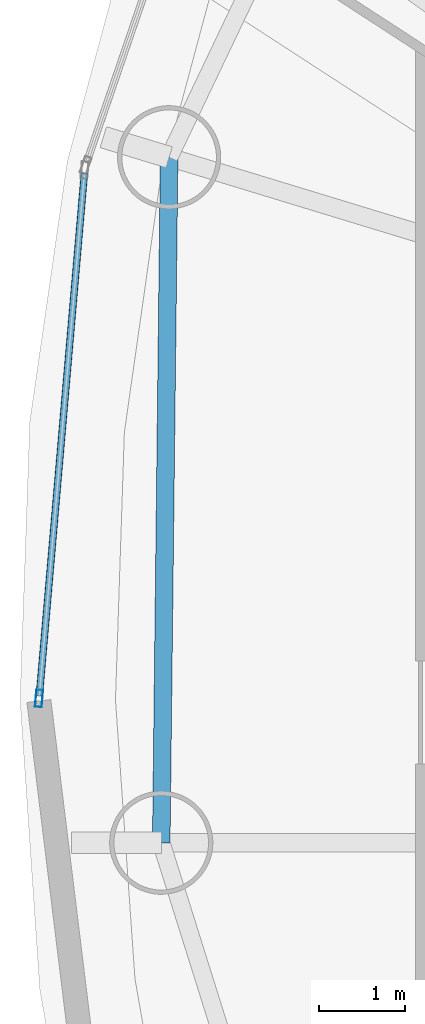
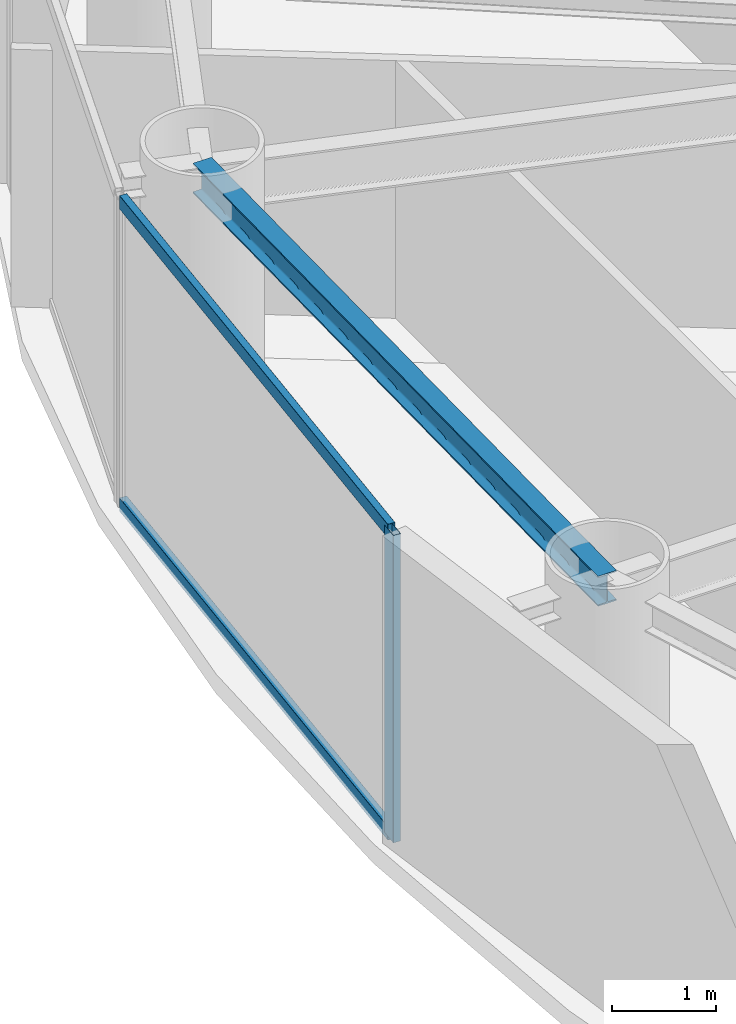
# One storey, part 6 of 22: 3 members, 1 beam, 1 element without a shape of its own.
"""IFC4 building model written with IfcOpenShell, lengths in metres."""

from ifc_helpers import new_model, si_unit, direction, frame, origin, origin_2d, place, context, subcontext, project, spatial, hollow_rectangle, i_section, extrude, material, layer, layer_set, material_profile, profile_set, type_object, element, aggregate, save


model = new_model("IFC4")

# Units and contexts
model_context = context("Model", 3, precision=1e-05, world=origin(), true_north=direction((0.0, 1.0)))
body_context = subcontext(model_context, "Body", "Model", "MODEL_VIEW")
ifc_project = project(units=[si_unit("LENGTHUNIT", "METRE"), si_unit("AREAUNIT", "SQUARE_METRE"), si_unit("VOLUMEUNIT", "CUBIC_METRE"), si_unit("PLANEANGLEUNIT", "RADIAN"), si_unit("MASSUNIT", "GRAM", prefix="KILO")], contexts=[model_context])

# Site, building, storey
site_placement = place(None, origin())
site = spatial("IfcSite", under=ifc_project, at=site_placement, CompositionType="ELEMENT")
building_placement = place(site_placement, origin())
building = spatial("IfcBuilding", under=site, at=building_placement, Name="Bramvorn Convention Spire", CompositionType="ELEMENT")
storey_placement = place(building_placement, frame((0.0, 0.0, 225.10009765625)))
storey = spatial("IfcBuildingStorey", under=building, at=storey_placement, Name="L57", CompositionType="ELEMENT", Elevation=225.10009765625)

# Beam
ifc_material_1 = material(Name="Steel CSA G40.21 Grade 350 (350W)", Category="steel")
ifc_material_profile_1 = material_profile(ifc_material_1, i_section(OverallWidth=0.205078125, OverallDepth=0.35400390625, WebThickness=0.009521484375, FlangeThickness=0.016845703125, FilletRadius=0.014892578125, at=origin_2d()))
ifc_profile_set_1 = profile_set([ifc_material_profile_1], Name="Steel CSA G40.21 Grade 350 (350W) - W360X79")
beam_type = type_object("IfcBeamType", Name="BM-W360X79", PredefinedType="JOIST", material=ifc_profile_set_1)
beam_placement = place(storey_placement, frame((17.136962890625, 36.380615234375, 3.44287109375), z_axis=(-0.011480475367, -0.999934097171, 0.0), x_axis=(0.999934097171, -0.011480475367, 0.0)))
element("IfcBeam", 1, at=beam_placement, inside=storey, type_object=beam_type, Name="L57 mega-column ring beam 10", PredefinedType="JOIST", context=body_context, shape_type="SweptSolid", body=[
    extrude(i_section(OverallWidth=0.205078125, OverallDepth=0.35400390625, WebThickness=0.009521484375, FlangeThickness=0.016845703125, FilletRadius=0.014892578125, at=origin_2d()), origin(), (0.0, 0.0, 1.0), 7.974609375),
])

# Curtain wall, members
ifc_material_2 = material(Name="Anodised Bronze Unitised Curtain Wall", Category="aluminium")
ifc_layer = layer(ifc_material_2, 0.179931640625)
ifc_layer_set = layer_set([ifc_layer], Name="Anodised Bronze Unitised Curtain Wall - CW-OFF-FRIT")
curtain_wall_type = type_object("IfcCurtainWallType", Name="CW-OFF-FRIT", PredefinedType="USERDEFINED", material=ifc_layer_set)
curtain_wall_placement = place(storey_placement, origin())
curtain_wall = element("IfcCurtainWall", 2, at=curtain_wall_placement, inside=storey, type_object=curtain_wall_type, Name="L57 fritted glass curtain wall 15", ObjectType="UNITISED CURTAIN WALL", PredefinedType="USERDEFINED")
ifc_material_3 = material(Name="Anodised Bronze Aluminium 6063-T6", Category="aluminium")
ifc_material_profile_2 = material_profile(ifc_material_3, hollow_rectangle(XDim=0.080078125, YDim=0.199951171875, WallThickness=0.00390625, InnerFilletRadius=0.0009765625, OuterFilletRadius=0.00390625, at=origin_2d()))
ifc_profile_set_2 = profile_set([ifc_material_profile_2], Name="Anodised Bronze Aluminium 6063-T6 - CWM80X200")
member_type_1 = type_object("IfcMemberType", Name="CW-MUL-180", PredefinedType="MULLION", material=ifc_profile_set_2)
member_1_placement = place(storey_placement, frame((15.62451171875, 30.08544921875, 0.0), z_axis=(0.0, 0.0, 1.0), x_axis=(-0.996301569388, 0.085925449291, 0.0)))
member_1 = element("IfcMember", 3, at=member_1_placement, type_object=member_type_1, Name="CW3 mullion 1", PredefinedType="MULLION", context=body_context, shape_type="SweptSolid", body=[
    extrude(hollow_rectangle(XDim=0.080078125, YDim=0.199951171875, WallThickness=0.00390625, InnerFilletRadius=0.0009765625, OuterFilletRadius=0.00390625, at=origin_2d()), origin(), (0.0, 0.0, 1.0), 3.619873046875),
])
ifc_material_profile_3 = material_profile(ifc_material_3, hollow_rectangle(XDim=0.080078125, YDim=0.159912109375, WallThickness=0.00390625, InnerFilletRadius=0.0009765625, OuterFilletRadius=0.00390625, at=origin_2d()))
ifc_profile_set_3 = profile_set([ifc_material_profile_3], Name="Anodised Bronze Aluminium 6063-T6 - CWT80X160")
member_type_2 = type_object("IfcMemberType", Name="CW-TRN-150", PredefinedType="USERDEFINED", material=ifc_profile_set_3)
member_2_placement = place(storey_placement, frame((15.627197265625, 30.115234375, 0.02978515625), z_axis=(0.085920502007, 0.996301996051, 0.0), x_axis=(-0.996301996051, 0.085920502007, 0.0)))
member_2 = element("IfcMember", 4, at=member_2_placement, type_object=member_type_2, Name="CW3 transom 1.1", ObjectType="TRANSOM", PredefinedType="USERDEFINED", context=body_context, shape_type="SweptSolid", body=[
    extrude(hollow_rectangle(XDim=0.080078125, YDim=0.159912109375, WallThickness=0.00390625, InnerFilletRadius=0.0009765625, OuterFilletRadius=0.00390625, at=origin_2d()), origin(), (0.0, 0.0, 1.0), 6.106201171875),
])
member_3_placement = place(storey_placement, frame((15.627197265625, 30.115234375, 3.58984375), z_axis=(0.085920502007, 0.996301996051, 0.0), x_axis=(-0.996301996051, 0.085920502007, 0.0)))
member_3 = element("IfcMember", 5, at=member_3_placement, type_object=member_type_2, Name="CW3 transom 1.2", ObjectType="TRANSOM", PredefinedType="USERDEFINED", context=body_context, shape_type="SweptSolid", body=[
    extrude(hollow_rectangle(XDim=0.080078125, YDim=0.159912109375, WallThickness=0.00390625, InnerFilletRadius=0.0009765625, OuterFilletRadius=0.00390625, at=origin_2d()), origin(), (0.0, 0.0, 1.0), 6.106201171875),
])
aggregate(curtain_wall, [member_1, member_2, member_3])

save(model, "model.ifc")
